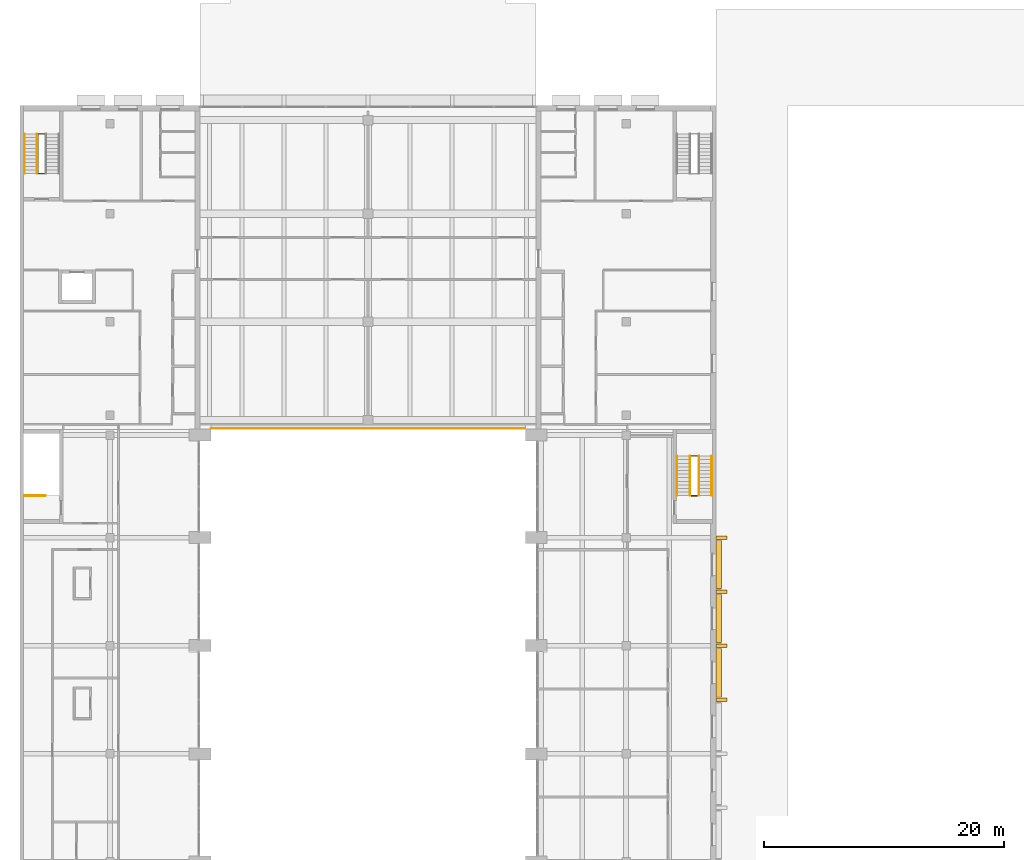
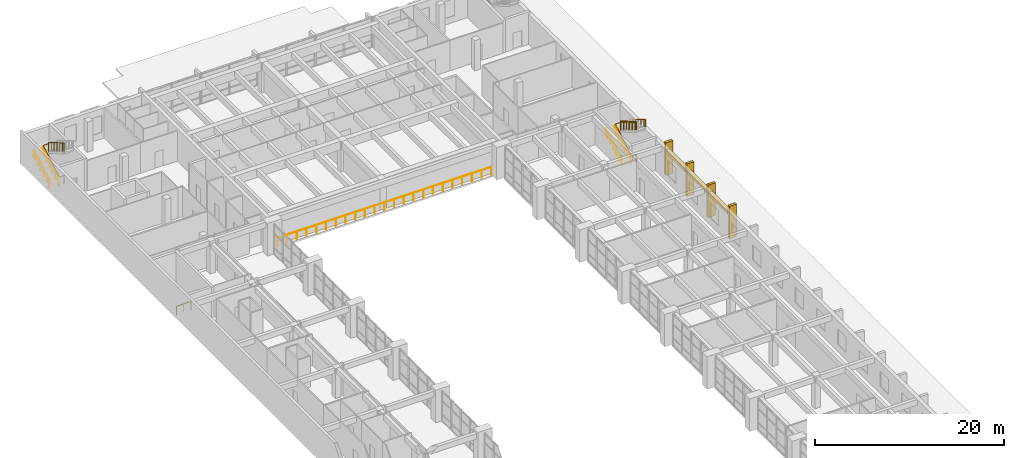
# One storey, part 42 of 45: 10 railings, 7 shading devices.
"""IFC4 building model written with IfcOpenShell, lengths in metres."""

from ifc_helpers import new_model, si_unit, direction, frame, origin, origin_2d, place, context, subcontext, project, spatial, rectangle, circle, extrude, material, type_object, element, save


model = new_model("IFC4")

# Units and contexts
model_context = context("Model", 3, precision=1e-05, world=origin(), true_north=direction((0.0, 1.0)))
body_context = subcontext(model_context, "Body", "Model", "MODEL_VIEW")
ifc_project = project(units=[si_unit("LENGTHUNIT", "METRE"), si_unit("AREAUNIT", "SQUARE_METRE"), si_unit("VOLUMEUNIT", "CUBIC_METRE"), si_unit("PLANEANGLEUNIT", "RADIAN"), si_unit("MASSUNIT", "GRAM", prefix="KILO")], contexts=[model_context])

# Site, building, storey
site_placement = place(None, origin())
site = spatial("IfcSite", under=ifc_project, at=site_placement, CompositionType="ELEMENT")
building_placement = place(site_placement, origin())
building = spatial("IfcBuilding", under=site, at=building_placement, Name="Elmora Arch Market Hall", CompositionType="ELEMENT")
storey_placement = place(building_placement, frame((0.0, 0.0, 6.0)))
storey = spatial("IfcBuildingStorey", under=building, at=storey_placement, Name="L01", CompositionType="ELEMENT", Elevation=6.0)

# Shading devices
ifc_material_1 = material(Name="Concrete C40/50", Category="concrete")
shading_device_type_1 = type_object("IfcShadingDeviceType", Name="Concrete fin 300x900", PredefinedType="USERDEFINED", material=ifc_material_1)
for number, where, z_axis, x_axis, name in (
    (1, (58.449951171875, 76.5, 0.0), (0.0, 0.0, 1.0), (1.0, 0.0, 0.0), "Arcade fin 12 L01"),
    (2, (58.449951171875, 81.0, 0.0), (0.0, 0.0, 1.0), (1.0, 0.0, 0.0), "Arcade fin 13 L01"),
    (3, (58.449951171875, 85.5, 0.0), (0.0, 0.0, 1.0), (1.0, 0.0, 0.0), "Arcade fin 14 L01"),
    (4, (58.449951171875, 90.0, 0.0), (0.0, 0.0, 1.0), (1.0, 0.0, 0.0), "Arcade fin 15 L01"),
):
    element("IfcShadingDevice", number, at=place(storey_placement, frame(where, z_axis=z_axis, x_axis=x_axis)), inside=storey, type_object=shading_device_type_1, Name=name, ObjectType="FIN", PredefinedType="USERDEFINED", context=body_context, shape_type="SweptSolid", body=[
        extrude(rectangle(XDim=0.89990234375, YDim=0.300048828125, at=origin_2d()), origin(), (0.0, 0.0, 1.0), 4.199951171875),
    ])

# Railings
ifc_material_2 = material(Name="Steel ASTM A653 galvanised", Category="steel")
railing_type_1 = type_object("IfcRailingType", Name="Gallery guard 1100", PredefinedType="GUARDRAIL", material=ifc_material_2)
railing_1_placement = place(storey_placement, frame((15.929931640625, 99.10009765625, 0.0)))
element("IfcRailing", 5, at=railing_1_placement, inside=storey, type_object=railing_type_1, Name="Gallery guard L01", PredefinedType="GUARDRAIL", context=body_context, shape_type="SweptSolid", body=[
    extrude(circle(Radius=0.02392578125, at=origin_2d()), frame((0.0, 0.0, 1.076171875), z_axis=(1.0, 0.0, 0.0), x_axis=(0.0, 1.0, 0.0)), (0.0, 0.0, 1.0), 26.14013671875),
    extrude(circle(Radius=0.02099609375, at=origin_2d()), origin(), (0.0, 0.0, 1.0), 1.052001953125),
    extrude(circle(Radius=0.02099609375, at=origin_2d()), frame((1.188232421875, 0.0, 0.0)), (0.0, 0.0, 1.0), 1.052001953125),
    extrude(circle(Radius=0.02099609375, at=origin_2d()), frame((2.37646484375, 0.0, 0.0)), (0.0, 0.0, 1.0), 1.052001953125),
    extrude(circle(Radius=0.02099609375, at=origin_2d()), frame((3.564453125, 0.0, 0.0)), (0.0, 0.0, 1.0), 1.052001953125),
    extrude(circle(Radius=0.02099609375, at=origin_2d()), frame((4.752685546875, 0.0, 0.0)), (0.0, 0.0, 1.0), 1.052001953125),
    extrude(circle(Radius=0.02099609375, at=origin_2d()), frame((5.94091796875, 0.0, 0.0)), (0.0, 0.0, 1.0), 1.052001953125),
    extrude(circle(Radius=0.02099609375, at=origin_2d()), frame((7.129150390625, 0.0, 0.0)), (0.0, 0.0, 1.0), 1.052001953125),
    extrude(circle(Radius=0.02099609375, at=origin_2d()), frame((8.3173828125, 0.0, 0.0)), (0.0, 0.0, 1.0), 1.052001953125),
    extrude(circle(Radius=0.02099609375, at=origin_2d()), frame((9.505615234375, 0.0, 0.0)), (0.0, 0.0, 1.0), 1.052001953125),
    extrude(circle(Radius=0.02099609375, at=origin_2d()), frame((10.693603515625, 0.0, 0.0)), (0.0, 0.0, 1.0), 1.052001953125),
    extrude(circle(Radius=0.02099609375, at=origin_2d()), frame((11.8818359375, 0.0, 0.0)), (0.0, 0.0, 1.0), 1.052001953125),
    extrude(circle(Radius=0.02099609375, at=origin_2d()), frame((13.070068359375, 0.0, 0.0)), (0.0, 0.0, 1.0), 1.052001953125),
    extrude(circle(Radius=0.02099609375, at=origin_2d()), frame((14.25830078125, 0.0, 0.0)), (0.0, 0.0, 1.0), 1.052001953125),
    extrude(circle(Radius=0.02099609375, at=origin_2d()), frame((15.446533203125, 0.0, 0.0)), (0.0, 0.0, 1.0), 1.052001953125),
    extrude(circle(Radius=0.02099609375, at=origin_2d()), frame((16.634521484375, 0.0, 0.0)), (0.0, 0.0, 1.0), 1.052001953125),
    extrude(circle(Radius=0.02099609375, at=origin_2d()), frame((17.82275390625, 0.0, 0.0)), (0.0, 0.0, 1.0), 1.052001953125),
    extrude(circle(Radius=0.02099609375, at=origin_2d()), frame((19.010986328125, 0.0, 0.0)), (0.0, 0.0, 1.0), 1.052001953125),
    extrude(circle(Radius=0.02099609375, at=origin_2d()), frame((20.19921875, 0.0, 0.0)), (0.0, 0.0, 1.0), 1.052001953125),
    extrude(circle(Radius=0.02099609375, at=origin_2d()), frame((21.387451171875, 0.0, 0.0)), (0.0, 0.0, 1.0), 1.052001953125),
    extrude(circle(Radius=0.02099609375, at=origin_2d()), frame((22.57568359375, 0.0, 0.0)), (0.0, 0.0, 1.0), 1.052001953125),
    extrude(circle(Radius=0.02099609375, at=origin_2d()), frame((23.763671875, 0.0, 0.0)), (0.0, 0.0, 1.0), 1.052001953125),
    extrude(circle(Radius=0.02099609375, at=origin_2d()), frame((24.951904296875, 0.0, 0.0)), (0.0, 0.0, 1.0), 1.052001953125),
    extrude(circle(Radius=0.02099609375, at=origin_2d()), frame((26.14013671875, 0.0, 0.0)), (0.0, 0.0, 1.0), 1.052001953125),
])
ifc_material_3 = material(Name="Steel ASTM A500 Gr C", Category="steel")
railing_type_2 = type_object("IfcRailingType", Name="Stair guard 1100", PredefinedType="GUARDRAIL", material=ifc_material_3)
railing_2_placement = place(storey_placement, frame((2.1201171875, 120.35009765625, 0.0)))
element("IfcRailing", 6, at=railing_2_placement, inside=storey, type_object=railing_type_2, Name="Stair ST-W guard L01", PredefinedType="GUARDRAIL", context=body_context, shape_type="SweptSolid", body=[
    extrude(circle(Radius=0.02392578125, at=origin_2d()), frame((0.0, 0.0, 1.076171875), z_axis=(-1.0, 0.0, 0.0), x_axis=(0.0, -1.0, 0.0)), (0.0, 0.0, 1.0), 0.64013671875),
    extrude(circle(Radius=0.02392578125, at=origin_2d()), frame((-0.64013671875, 0.0, 1.076171875), z_axis=(0.0, 0.0, 1.0), x_axis=(1.0, 0.0, 0.0)), (0.0, 0.0, 1.0), 0.175048828125),
    extrude(circle(Radius=0.02392578125, at=origin_2d()), frame((-0.64013671875, 0.0, 1.2509765625), z_axis=(0.0, 0.863817152568, 0.503805445515), x_axis=(-1.0, 0.0, 0.0)), (0.0, 0.0, 1.0), 0.6943359375),
    extrude(circle(Radius=0.02392578125, at=origin_2d()), frame((-0.64013671875, 0.599853515625, 1.60107421875), z_axis=(0.0, 0.863753409277, 0.503914722906), x_axis=(-1.0, 0.0, 0.0)), (0.0, 0.0, 1.0), 0.69482421875),
    extrude(circle(Radius=0.02392578125, at=origin_2d()), frame((-0.64013671875, 1.199951171875, 1.951171875), z_axis=(0.0, 0.863664136355, 0.504067713282), x_axis=(-1.0, 0.0, 0.0)), (0.0, 0.0, 1.0), 0.694580078125),
    extrude(circle(Radius=0.02392578125, at=origin_2d()), frame((-0.64013671875, 1.7998046875, 2.30126953125), z_axis=(0.0, 0.863906348401, 0.503652480577), x_axis=(-1.0, 0.0, 0.0)), (0.0, 0.0, 1.0), 0.694580078125),
    extrude(circle(Radius=0.02392578125, at=origin_2d()), frame((-0.64013671875, 2.39990234375, 2.65087890625), z_axis=(0.0, 0.863753409277, 0.503914722906), x_axis=(-1.0, 0.0, 0.0)), (0.0, 0.0, 1.0), 0.69482421875),
    extrude(circle(Radius=0.02392578125, at=origin_2d()), frame((-0.64013671875, 3.0, 3.0009765625), z_axis=(0.0, 0.86357478209, 0.504220780748), x_axis=(-1.0, 0.0, 0.0)), (0.0, 0.0, 1.0), 0.34716796875),
    extrude(circle(Radius=0.02392578125, at=origin_2d()), frame((-0.64013671875, 3.2998046875, 3.17626953125), z_axis=(1.0, 0.0, 0.0), x_axis=(0.0, 1.0, 0.0)), (0.0, 0.0, 1.0), 0.64013671875),
    extrude(circle(Radius=0.02392578125, at=origin_2d()), frame((0.0, 3.2998046875, 3.17626953125), z_axis=(0.0, 0.0, 1.0), x_axis=(1.0, 0.0, 0.0)), (0.0, 0.0, 1.0), 0.1748046875),
    extrude(circle(Radius=0.02392578125, at=origin_2d()), frame((0.0, 3.2998046875, 3.35107421875), z_axis=(0.0, -0.863664136355, 0.504067713282), x_axis=(1.0, 0.0, 0.0)), (0.0, 0.0, 1.0), 0.694580078125),
    extrude(circle(Radius=0.02392578125, at=origin_2d()), frame((0.0, 2.699951171875, 3.701171875), z_axis=(0.0, -0.863753409277, 0.503914722906), x_axis=(1.0, 0.0, 0.0)), (0.0, 0.0, 1.0), 0.69482421875),
    extrude(circle(Radius=0.02392578125, at=origin_2d()), frame((0.0, 2.099853515625, 4.05126953125), z_axis=(0.0, -0.863817152568, 0.503805445515), x_axis=(1.0, 0.0, 0.0)), (0.0, 0.0, 1.0), 0.6943359375),
    extrude(circle(Radius=0.02392578125, at=origin_2d()), frame((0.0, 1.5, 4.40087890625), z_axis=(0.0, -0.863753409277, 0.503914722906), x_axis=(1.0, 0.0, 0.0)), (0.0, 0.0, 1.0), 0.69482421875),
    extrude(circle(Radius=0.02392578125, at=origin_2d()), frame((0.0, 0.89990234375, 4.7509765625), z_axis=(0.0, -0.863906348401, 0.503652480577), x_axis=(1.0, 0.0, 0.0)), (0.0, 0.0, 1.0), 0.694580078125),
    extrude(circle(Radius=0.02392578125, at=origin_2d()), frame((0.0, 0.2998046875, 5.10107421875), z_axis=(0.0, -0.86357478209, 0.504220780748), x_axis=(1.0, 0.0, 0.0)), (0.0, 0.0, 1.0), 0.34716796875),
    extrude(circle(Radius=0.02099609375, at=origin_2d()), origin(), (0.0, 0.0, 1.0), 1.052001953125),
    extrude(circle(Radius=0.02099609375, at=origin_2d()), frame((-0.64013671875, 0.0, 0.0)), (0.0, 0.0, 1.0), 1.052001953125),
    extrude(circle(Radius=0.02099609375, at=origin_2d()), frame((-0.64013671875, 0.0, 0.175048828125)), (0.0, 0.0, 1.0), 1.052001953125),
    extrude(circle(Radius=0.02099609375, at=origin_2d()), frame((-0.64013671875, 0.599853515625, 0.52490234375)), (0.0, 0.0, 1.0), 1.052001953125),
    extrude(circle(Radius=0.02099609375, at=origin_2d()), frame((-0.64013671875, 1.199951171875, 0.875)), (0.0, 0.0, 1.0), 1.052001953125),
    extrude(circle(Radius=0.02099609375, at=origin_2d()), frame((-0.64013671875, 1.7998046875, 1.22509765625)), (0.0, 0.0, 1.0), 1.052001953125),
    extrude(circle(Radius=0.02099609375, at=origin_2d()), frame((-0.64013671875, 2.39990234375, 1.574951171875)), (0.0, 0.0, 1.0), 1.052001953125),
    extrude(circle(Radius=0.02099609375, at=origin_2d()), frame((-0.64013671875, 3.0, 1.925048828125)), (0.0, 0.0, 1.0), 1.052001953125),
    extrude(circle(Radius=0.02099609375, at=origin_2d()), frame((-0.64013671875, 3.2998046875, 2.10009765625)), (0.0, 0.0, 1.0), 1.052001953125),
    extrude(circle(Radius=0.02099609375, at=origin_2d()), frame((0.0, 3.2998046875, 2.10009765625)), (0.0, 0.0, 1.0), 1.052001953125),
    extrude(circle(Radius=0.02099609375, at=origin_2d()), frame((0.0, 3.2998046875, 2.27490234375)), (0.0, 0.0, 1.0), 1.052001953125),
    extrude(circle(Radius=0.02099609375, at=origin_2d()), frame((0.0, 2.699951171875, 2.625)), (0.0, 0.0, 1.0), 1.052001953125),
    extrude(circle(Radius=0.02099609375, at=origin_2d()), frame((0.0, 2.099853515625, 2.97509765625)), (0.0, 0.0, 1.0), 1.052001953125),
    extrude(circle(Radius=0.02099609375, at=origin_2d()), frame((0.0, 1.5, 3.324951171875)), (0.0, 0.0, 1.0), 1.052001953125),
    extrude(circle(Radius=0.02099609375, at=origin_2d()), frame((0.0, 0.89990234375, 3.675048828125)), (0.0, 0.0, 1.0), 1.052001953125),
    extrude(circle(Radius=0.02099609375, at=origin_2d()), frame((0.0, 0.2998046875, 4.02490234375)), (0.0, 0.0, 1.0), 1.052001953125),
    extrude(circle(Radius=0.02099609375, at=origin_2d()), frame((0.0, 0.0, 4.199951171875)), (0.0, 0.0, 1.0), 1.052001953125),
])
railing_3_placement = place(storey_placement, frame((56.52001953125, 93.5, 0.0)))
element("IfcRailing", 7, at=railing_3_placement, inside=storey, type_object=railing_type_2, Name="Stair ST-EN guard L01", PredefinedType="GUARDRAIL", context=body_context, shape_type="SweptSolid", body=[
    extrude(circle(Radius=0.02392578125, at=origin_2d()), frame((0.0, 0.0, 1.076171875), z_axis=(-1.0, 0.0, 0.0), x_axis=(0.0, -1.0, 0.0)), (0.0, 0.0, 1.0), 0.64013671875),
    extrude(circle(Radius=0.02392578125, at=origin_2d()), frame((-0.64013671875, 0.0, 1.076171875), z_axis=(0.0, 0.0, 1.0), x_axis=(1.0, 0.0, 0.0)), (0.0, 0.0, 1.0), 0.175048828125),
    extrude(circle(Radius=0.02392578125, at=origin_2d()), frame((-0.64013671875, 0.0, 1.2509765625), z_axis=(0.0, 0.863906348401, 0.503652480577), x_axis=(-1.0, 0.0, 0.0)), (0.0, 0.0, 1.0), 0.694580078125),
    extrude(circle(Radius=0.02392578125, at=origin_2d()), frame((-0.64013671875, 0.60009765625, 1.60107421875), z_axis=(0.0, 0.863664136355, 0.504067713282), x_axis=(-1.0, 0.0, 0.0)), (0.0, 0.0, 1.0), 0.694580078125),
    extrude(circle(Radius=0.02392578125, at=origin_2d()), frame((-0.64013671875, 1.199951171875, 1.951171875), z_axis=(0.0, 0.863753409277, 0.503914722906), x_axis=(-1.0, 0.0, 0.0)), (0.0, 0.0, 1.0), 0.69482421875),
    extrude(circle(Radius=0.02392578125, at=origin_2d()), frame((-0.64013671875, 1.800048828125, 2.30126953125), z_axis=(0.0, 0.863817152568, 0.503805445515), x_axis=(-1.0, 0.0, 0.0)), (0.0, 0.0, 1.0), 0.6943359375),
    extrude(circle(Radius=0.02392578125, at=origin_2d()), frame((-0.64013671875, 2.39990234375, 2.65087890625), z_axis=(0.0, 0.863753409277, 0.503914722906), x_axis=(-1.0, 0.0, 0.0)), (0.0, 0.0, 1.0), 0.69482421875),
    extrude(circle(Radius=0.02392578125, at=origin_2d()), frame((-0.64013671875, 3.0, 3.0009765625), z_axis=(0.0, 0.863753409277, 0.503914722906), x_axis=(-1.0, 0.0, 0.0)), (0.0, 0.0, 1.0), 0.347412109375),
    extrude(circle(Radius=0.02392578125, at=origin_2d()), frame((-0.64013671875, 3.300048828125, 3.17626953125), z_axis=(1.0, 0.0, 0.0), x_axis=(0.0, 1.0, 0.0)), (0.0, 0.0, 1.0), 0.64013671875),
    extrude(circle(Radius=0.02392578125, at=origin_2d()), frame((0.0, 3.300048828125, 3.17626953125), z_axis=(0.0, 0.0, 1.0), x_axis=(1.0, 0.0, 0.0)), (0.0, 0.0, 1.0), 0.1748046875),
    extrude(circle(Radius=0.02392578125, at=origin_2d()), frame((0.0, 3.300048828125, 3.35107421875), z_axis=(0.0, -0.863753409277, 0.503914722906), x_axis=(1.0, 0.0, 0.0)), (0.0, 0.0, 1.0), 0.69482421875),
    extrude(circle(Radius=0.02392578125, at=origin_2d()), frame((0.0, 2.699951171875, 3.701171875), z_axis=(0.0, -0.863664136355, 0.504067713282), x_axis=(1.0, 0.0, 0.0)), (0.0, 0.0, 1.0), 0.694580078125),
    extrude(circle(Radius=0.02392578125, at=origin_2d()), frame((0.0, 2.10009765625, 4.05126953125), z_axis=(0.0, -0.863906348401, 0.503652480577), x_axis=(1.0, 0.0, 0.0)), (0.0, 0.0, 1.0), 0.694580078125),
    extrude(circle(Radius=0.02392578125, at=origin_2d()), frame((0.0, 1.5, 4.40087890625), z_axis=(0.0, -0.863753409277, 0.503914722906), x_axis=(1.0, 0.0, 0.0)), (0.0, 0.0, 1.0), 0.69482421875),
    extrude(circle(Radius=0.02392578125, at=origin_2d()), frame((0.0, 0.89990234375, 4.7509765625), z_axis=(0.0, -0.863817152568, 0.503805445515), x_axis=(1.0, 0.0, 0.0)), (0.0, 0.0, 1.0), 0.6943359375),
    extrude(circle(Radius=0.02392578125, at=origin_2d()), frame((0.0, 0.300048828125, 5.10107421875), z_axis=(0.0, -0.863753409277, 0.503914722906), x_axis=(1.0, 0.0, 0.0)), (0.0, 0.0, 1.0), 0.347412109375),
    extrude(circle(Radius=0.02099609375, at=origin_2d()), origin(), (0.0, 0.0, 1.0), 1.052001953125),
    extrude(circle(Radius=0.02099609375, at=origin_2d()), frame((-0.64013671875, 0.0, 0.0)), (0.0, 0.0, 1.0), 1.052001953125),
    extrude(circle(Radius=0.02099609375, at=origin_2d()), frame((-0.64013671875, 0.0, 0.175048828125)), (0.0, 0.0, 1.0), 1.052001953125),
    extrude(circle(Radius=0.02099609375, at=origin_2d()), frame((-0.64013671875, 0.60009765625, 0.52490234375)), (0.0, 0.0, 1.0), 1.052001953125),
    extrude(circle(Radius=0.02099609375, at=origin_2d()), frame((-0.64013671875, 1.199951171875, 0.875)), (0.0, 0.0, 1.0), 1.052001953125),
    extrude(circle(Radius=0.02099609375, at=origin_2d()), frame((-0.64013671875, 1.800048828125, 1.22509765625)), (0.0, 0.0, 1.0), 1.052001953125),
    extrude(circle(Radius=0.02099609375, at=origin_2d()), frame((-0.64013671875, 2.39990234375, 1.574951171875)), (0.0, 0.0, 1.0), 1.052001953125),
    extrude(circle(Radius=0.02099609375, at=origin_2d()), frame((-0.64013671875, 3.0, 1.925048828125)), (0.0, 0.0, 1.0), 1.052001953125),
    extrude(circle(Radius=0.02099609375, at=origin_2d()), frame((-0.64013671875, 3.300048828125, 2.10009765625)), (0.0, 0.0, 1.0), 1.052001953125),
    extrude(circle(Radius=0.02099609375, at=origin_2d()), frame((0.0, 3.300048828125, 2.10009765625)), (0.0, 0.0, 1.0), 1.052001953125),
    extrude(circle(Radius=0.02099609375, at=origin_2d()), frame((0.0, 3.300048828125, 2.27490234375)), (0.0, 0.0, 1.0), 1.052001953125),
    extrude(circle(Radius=0.02099609375, at=origin_2d()), frame((0.0, 2.699951171875, 2.625)), (0.0, 0.0, 1.0), 1.052001953125),
    extrude(circle(Radius=0.02099609375, at=origin_2d()), frame((0.0, 2.10009765625, 2.97509765625)), (0.0, 0.0, 1.0), 1.052001953125),
    extrude(circle(Radius=0.02099609375, at=origin_2d()), frame((0.0, 1.5, 3.324951171875)), (0.0, 0.0, 1.0), 1.052001953125),
    extrude(circle(Radius=0.02099609375, at=origin_2d()), frame((0.0, 0.89990234375, 3.675048828125)), (0.0, 0.0, 1.0), 1.052001953125),
    extrude(circle(Radius=0.02099609375, at=origin_2d()), frame((0.0, 0.300048828125, 4.02490234375)), (0.0, 0.0, 1.0), 1.052001953125),
    extrude(circle(Radius=0.02099609375, at=origin_2d()), frame((0.0, 0.0, 4.199951171875)), (0.0, 0.0, 1.0), 1.052001953125),
])
railing_4_placement = place(storey_placement, frame((2.1201171875, 93.5, 0.0)))
element("IfcRailing", 8, at=railing_4_placement, inside=storey, type_object=railing_type_2, Name="Stair ST-WN guard L01", PredefinedType="GUARDRAIL", context=body_context, shape_type="SweptSolid", body=[
    extrude(circle(Radius=0.02392578125, at=origin_2d()), frame((0.0, 0.0, 1.076171875), z_axis=(-1.0, 0.0, 0.0), x_axis=(0.0, -1.0, 0.0)), (0.0, 0.0, 1.0), 1.760009765625),
    extrude(circle(Radius=0.02099609375, at=origin_2d()), origin(), (0.0, 0.0, 1.0), 1.052001953125),
    extrude(circle(Radius=0.02099609375, at=origin_2d()), frame((-0.8798828125, 0.0, 0.0)), (0.0, 0.0, 1.0), 1.052001953125),
    extrude(circle(Radius=0.02099609375, at=origin_2d()), frame((-1.760009765625, 0.0, 0.0)), (0.0, 0.0, 1.0), 1.052001953125),
])
ifc_material_4 = material(Name="Stainless steel ASTM A554 Grade 304", Category="steel")
railing_type_3 = type_object("IfcRailingType", Name="Stair handrail 950", PredefinedType="HANDRAIL", material=ifc_material_4)
railing_5_placement = place(storey_placement, frame((0.360107421875, 120.35009765625, 0.175048828125)))
element("IfcRailing", 9, at=railing_5_placement, inside=storey, type_object=railing_type_3, Name="Stair ST-W L01 flight 1 handrail", PredefinedType="HANDRAIL", context=body_context, shape_type="SweptSolid", body=[
    extrude(circle(Radius=0.02392578125, at=origin_2d()), frame((0.0, 0.0, 0.92578125), z_axis=(0.0, 0.863817152568, 0.503805445515), x_axis=(-1.0, 0.0, 0.0)), (0.0, 0.0, 1.0), 0.6943359375),
    extrude(circle(Radius=0.02392578125, at=origin_2d()), frame((0.0, 0.599853515625, 1.27587890625), z_axis=(0.0, 0.863753409277, 0.503914722906), x_axis=(-1.0, 0.0, 0.0)), (0.0, 0.0, 1.0), 0.69482421875),
    extrude(circle(Radius=0.02392578125, at=origin_2d()), frame((0.0, 1.199951171875, 1.6259765625), z_axis=(0.0, 0.863664136355, 0.504067713282), x_axis=(-1.0, 0.0, 0.0)), (0.0, 0.0, 1.0), 0.694580078125),
    extrude(circle(Radius=0.02392578125, at=origin_2d()), frame((0.0, 1.7998046875, 1.97607421875), z_axis=(0.0, 0.863906348401, 0.503652480577), x_axis=(-1.0, 0.0, 0.0)), (0.0, 0.0, 1.0), 0.694580078125),
    extrude(circle(Radius=0.02392578125, at=origin_2d()), frame((0.0, 2.39990234375, 2.32568359375), z_axis=(0.0, 0.863753409277, 0.503914722906), x_axis=(-1.0, 0.0, 0.0)), (0.0, 0.0, 1.0), 0.69482421875),
    extrude(circle(Radius=0.02392578125, at=origin_2d()), frame((0.0, 3.0, 2.67578125), z_axis=(0.0, 0.86357478209, 0.504220780748), x_axis=(-1.0, 0.0, 0.0)), (0.0, 0.0, 1.0), 0.34716796875),
    extrude(circle(Radius=0.02099609375, at=origin_2d()), origin(), (0.0, 0.0, 1.0), 0.90185546875),
    extrude(circle(Radius=0.02099609375, at=origin_2d()), frame((0.0, 0.599853515625, 0.349853515625)), (0.0, 0.0, 1.0), 0.90185546875),
    extrude(circle(Radius=0.02099609375, at=origin_2d()), frame((0.0, 1.199951171875, 0.699951171875)), (0.0, 0.0, 1.0), 0.90185546875),
    extrude(circle(Radius=0.02099609375, at=origin_2d()), frame((0.0, 1.7998046875, 1.050048828125)), (0.0, 0.0, 1.0), 0.90185546875),
    extrude(circle(Radius=0.02099609375, at=origin_2d()), frame((0.0, 2.39990234375, 1.39990234375)), (0.0, 0.0, 1.0), 0.90185546875),
    extrude(circle(Radius=0.02099609375, at=origin_2d()), frame((0.0, 3.0, 1.75)), (0.0, 0.0, 1.0), 0.90185546875),
    extrude(circle(Radius=0.02099609375, at=origin_2d()), frame((0.0, 3.2998046875, 1.925048828125)), (0.0, 0.0, 1.0), 0.90185546875),
])
railing_6_placement = place(storey_placement, frame((1.429931640625, 120.35009765625, 0.175048828125)))
element("IfcRailing", 10, at=railing_6_placement, inside=storey, type_object=railing_type_3, Name="Stair ST-W L01 flight 1 handrail", PredefinedType="HANDRAIL", context=body_context, shape_type="SweptSolid", body=[
    extrude(circle(Radius=0.02392578125, at=origin_2d()), frame((0.0, 0.0, 0.92578125), z_axis=(0.0, 0.863817152568, 0.503805445515), x_axis=(-1.0, 0.0, 0.0)), (0.0, 0.0, 1.0), 0.6943359375),
    extrude(circle(Radius=0.02392578125, at=origin_2d()), frame((0.0, 0.599853515625, 1.27587890625), z_axis=(0.0, 0.863753409277, 0.503914722906), x_axis=(-1.0, 0.0, 0.0)), (0.0, 0.0, 1.0), 0.69482421875),
    extrude(circle(Radius=0.02392578125, at=origin_2d()), frame((0.0, 1.199951171875, 1.6259765625), z_axis=(0.0, 0.863664136355, 0.504067713282), x_axis=(-1.0, 0.0, 0.0)), (0.0, 0.0, 1.0), 0.694580078125),
    extrude(circle(Radius=0.02392578125, at=origin_2d()), frame((0.0, 1.7998046875, 1.97607421875), z_axis=(0.0, 0.863906348401, 0.503652480577), x_axis=(-1.0, 0.0, 0.0)), (0.0, 0.0, 1.0), 0.694580078125),
    extrude(circle(Radius=0.02392578125, at=origin_2d()), frame((0.0, 2.39990234375, 2.32568359375), z_axis=(0.0, 0.863753409277, 0.503914722906), x_axis=(-1.0, 0.0, 0.0)), (0.0, 0.0, 1.0), 0.69482421875),
    extrude(circle(Radius=0.02392578125, at=origin_2d()), frame((0.0, 3.0, 2.67578125), z_axis=(0.0, 0.86357478209, 0.504220780748), x_axis=(-1.0, 0.0, 0.0)), (0.0, 0.0, 1.0), 0.34716796875),
    extrude(circle(Radius=0.02099609375, at=origin_2d()), origin(), (0.0, 0.0, 1.0), 0.90185546875),
    extrude(circle(Radius=0.02099609375, at=origin_2d()), frame((0.0, 0.599853515625, 0.349853515625)), (0.0, 0.0, 1.0), 0.90185546875),
    extrude(circle(Radius=0.02099609375, at=origin_2d()), frame((0.0, 1.199951171875, 0.699951171875)), (0.0, 0.0, 1.0), 0.90185546875),
    extrude(circle(Radius=0.02099609375, at=origin_2d()), frame((0.0, 1.7998046875, 1.050048828125)), (0.0, 0.0, 1.0), 0.90185546875),
    extrude(circle(Radius=0.02099609375, at=origin_2d()), frame((0.0, 2.39990234375, 1.39990234375)), (0.0, 0.0, 1.0), 0.90185546875),
    extrude(circle(Radius=0.02099609375, at=origin_2d()), frame((0.0, 3.0, 1.75)), (0.0, 0.0, 1.0), 0.90185546875),
    extrude(circle(Radius=0.02099609375, at=origin_2d()), frame((0.0, 3.2998046875, 1.925048828125)), (0.0, 0.0, 1.0), 0.90185546875),
])
railing_7_placement = place(storey_placement, frame((54.760009765625, 93.5, 0.175048828125)))
element("IfcRailing", 11, at=railing_7_placement, inside=storey, type_object=railing_type_3, Name="Stair ST-EN L01 flight 1 handrail", PredefinedType="HANDRAIL", context=body_context, shape_type="SweptSolid", body=[
    extrude(circle(Radius=0.02392578125, at=origin_2d()), frame((0.0, 0.0, 0.92578125), z_axis=(0.0, 0.863906348401, 0.503652480577), x_axis=(-1.0, 0.0, 0.0)), (0.0, 0.0, 1.0), 0.694580078125),
    extrude(circle(Radius=0.02392578125, at=origin_2d()), frame((0.0, 0.60009765625, 1.27587890625), z_axis=(0.0, 0.863664136355, 0.504067713282), x_axis=(-1.0, 0.0, 0.0)), (0.0, 0.0, 1.0), 0.694580078125),
    extrude(circle(Radius=0.02392578125, at=origin_2d()), frame((0.0, 1.199951171875, 1.6259765625), z_axis=(0.0, 0.863753409277, 0.503914722906), x_axis=(-1.0, 0.0, 0.0)), (0.0, 0.0, 1.0), 0.69482421875),
    extrude(circle(Radius=0.02392578125, at=origin_2d()), frame((0.0, 1.800048828125, 1.97607421875), z_axis=(0.0, 0.863817152568, 0.503805445515), x_axis=(-1.0, 0.0, 0.0)), (0.0, 0.0, 1.0), 0.6943359375),
    extrude(circle(Radius=0.02392578125, at=origin_2d()), frame((0.0, 2.39990234375, 2.32568359375), z_axis=(0.0, 0.863753409277, 0.503914722906), x_axis=(-1.0, 0.0, 0.0)), (0.0, 0.0, 1.0), 0.69482421875),
    extrude(circle(Radius=0.02392578125, at=origin_2d()), frame((0.0, 3.0, 2.67578125), z_axis=(0.0, 0.863753409277, 0.503914722906), x_axis=(-1.0, 0.0, 0.0)), (0.0, 0.0, 1.0), 0.347412109375),
    extrude(circle(Radius=0.02099609375, at=origin_2d()), origin(), (0.0, 0.0, 1.0), 0.90185546875),
    extrude(circle(Radius=0.02099609375, at=origin_2d()), frame((0.0, 0.60009765625, 0.349853515625)), (0.0, 0.0, 1.0), 0.90185546875),
    extrude(circle(Radius=0.02099609375, at=origin_2d()), frame((0.0, 1.199951171875, 0.699951171875)), (0.0, 0.0, 1.0), 0.90185546875),
    extrude(circle(Radius=0.02099609375, at=origin_2d()), frame((0.0, 1.800048828125, 1.050048828125)), (0.0, 0.0, 1.0), 0.90185546875),
    extrude(circle(Radius=0.02099609375, at=origin_2d()), frame((0.0, 2.39990234375, 1.39990234375)), (0.0, 0.0, 1.0), 0.90185546875),
    extrude(circle(Radius=0.02099609375, at=origin_2d()), frame((0.0, 3.0, 1.75)), (0.0, 0.0, 1.0), 0.90185546875),
    extrude(circle(Radius=0.02099609375, at=origin_2d()), frame((0.0, 3.300048828125, 1.925048828125)), (0.0, 0.0, 1.0), 0.90185546875),
])
railing_8_placement = place(storey_placement, frame((55.830078125, 93.5, 0.175048828125)))
element("IfcRailing", 12, at=railing_8_placement, inside=storey, type_object=railing_type_3, Name="Stair ST-EN L01 flight 1 handrail", PredefinedType="HANDRAIL", context=body_context, shape_type="SweptSolid", body=[
    extrude(circle(Radius=0.02392578125, at=origin_2d()), frame((0.0, 0.0, 0.92578125), z_axis=(0.0, 0.863906348401, 0.503652480577), x_axis=(-1.0, 0.0, 0.0)), (0.0, 0.0, 1.0), 0.694580078125),
    extrude(circle(Radius=0.02392578125, at=origin_2d()), frame((0.0, 0.60009765625, 1.27587890625), z_axis=(0.0, 0.863664136355, 0.504067713282), x_axis=(-1.0, 0.0, 0.0)), (0.0, 0.0, 1.0), 0.694580078125),
    extrude(circle(Radius=0.02392578125, at=origin_2d()), frame((0.0, 1.199951171875, 1.6259765625), z_axis=(0.0, 0.863753409277, 0.503914722906), x_axis=(-1.0, 0.0, 0.0)), (0.0, 0.0, 1.0), 0.69482421875),
    extrude(circle(Radius=0.02392578125, at=origin_2d()), frame((0.0, 1.800048828125, 1.97607421875), z_axis=(0.0, 0.863817152568, 0.503805445515), x_axis=(-1.0, 0.0, 0.0)), (0.0, 0.0, 1.0), 0.6943359375),
    extrude(circle(Radius=0.02392578125, at=origin_2d()), frame((0.0, 2.39990234375, 2.32568359375), z_axis=(0.0, 0.863753409277, 0.503914722906), x_axis=(-1.0, 0.0, 0.0)), (0.0, 0.0, 1.0), 0.69482421875),
    extrude(circle(Radius=0.02392578125, at=origin_2d()), frame((0.0, 3.0, 2.67578125), z_axis=(0.0, 0.863753409277, 0.503914722906), x_axis=(-1.0, 0.0, 0.0)), (0.0, 0.0, 1.0), 0.347412109375),
    extrude(circle(Radius=0.02099609375, at=origin_2d()), origin(), (0.0, 0.0, 1.0), 0.90185546875),
    extrude(circle(Radius=0.02099609375, at=origin_2d()), frame((0.0, 0.60009765625, 0.349853515625)), (0.0, 0.0, 1.0), 0.90185546875),
    extrude(circle(Radius=0.02099609375, at=origin_2d()), frame((0.0, 1.199951171875, 0.699951171875)), (0.0, 0.0, 1.0), 0.90185546875),
    extrude(circle(Radius=0.02099609375, at=origin_2d()), frame((0.0, 1.800048828125, 1.050048828125)), (0.0, 0.0, 1.0), 0.90185546875),
    extrude(circle(Radius=0.02099609375, at=origin_2d()), frame((0.0, 2.39990234375, 1.39990234375)), (0.0, 0.0, 1.0), 0.90185546875),
    extrude(circle(Radius=0.02099609375, at=origin_2d()), frame((0.0, 3.0, 1.75)), (0.0, 0.0, 1.0), 0.90185546875),
    extrude(circle(Radius=0.02099609375, at=origin_2d()), frame((0.0, 3.300048828125, 1.925048828125)), (0.0, 0.0, 1.0), 0.90185546875),
])
railing_9_placement = place(storey_placement, frame((57.639892578125, 96.800048828125, 2.27490234375)))
element("IfcRailing", 13, at=railing_9_placement, inside=storey, type_object=railing_type_3, Name="Stair ST-EN L01 flight 2 handrail", PredefinedType="HANDRAIL", context=body_context, shape_type="SweptSolid", body=[
    extrude(circle(Radius=0.02392578125, at=origin_2d()), frame((0.0, 0.0, 0.92578125), z_axis=(0.0, -0.863753409277, 0.503914722906), x_axis=(1.0, 0.0, 0.0)), (0.0, 0.0, 1.0), 0.69482421875),
    extrude(circle(Radius=0.02392578125, at=origin_2d()), frame((0.0, -0.60009765625, 1.27587890625), z_axis=(0.0, -0.863664136355, 0.504067713282), x_axis=(1.0, 0.0, 0.0)), (0.0, 0.0, 1.0), 0.694580078125),
    extrude(circle(Radius=0.02392578125, at=origin_2d()), frame((0.0, -1.199951171875, 1.6259765625), z_axis=(0.0, -0.863906348401, 0.503652480577), x_axis=(1.0, 0.0, 0.0)), (0.0, 0.0, 1.0), 0.694580078125),
    extrude(circle(Radius=0.02392578125, at=origin_2d()), frame((0.0, -1.800048828125, 1.97607421875), z_axis=(0.0, -0.863753409277, 0.503914722906), x_axis=(1.0, 0.0, 0.0)), (0.0, 0.0, 1.0), 0.69482421875),
    extrude(circle(Radius=0.02392578125, at=origin_2d()), frame((0.0, -2.400146484375, 2.326171875), z_axis=(0.0, -0.863817152568, 0.503805445515), x_axis=(1.0, 0.0, 0.0)), (0.0, 0.0, 1.0), 0.6943359375),
    extrude(circle(Radius=0.02392578125, at=origin_2d()), frame((0.0, -3.0, 2.67578125), z_axis=(0.0, -0.863753409277, 0.503914722906), x_axis=(1.0, 0.0, 0.0)), (0.0, 0.0, 1.0), 0.347412109375),
    extrude(circle(Radius=0.02099609375, at=origin_2d()), origin(), (0.0, 0.0, 1.0), 0.90185546875),
    extrude(circle(Radius=0.02099609375, at=origin_2d()), frame((0.0, -0.60009765625, 0.35009765625)), (0.0, 0.0, 1.0), 0.90185546875),
    extrude(circle(Radius=0.02099609375, at=origin_2d()), frame((0.0, -1.199951171875, 0.7001953125)), (0.0, 0.0, 1.0), 0.90185546875),
    extrude(circle(Radius=0.02099609375, at=origin_2d()), frame((0.0, -1.800048828125, 1.050048828125)), (0.0, 0.0, 1.0), 0.90185546875),
    extrude(circle(Radius=0.02099609375, at=origin_2d()), frame((0.0, -2.400146484375, 1.400146484375)), (0.0, 0.0, 1.0), 0.90185546875),
    extrude(circle(Radius=0.02099609375, at=origin_2d()), frame((0.0, -3.0, 1.75)), (0.0, 0.0, 1.0), 0.90185546875),
    extrude(circle(Radius=0.02099609375, at=origin_2d()), frame((0.0, -3.300048828125, 1.925048828125)), (0.0, 0.0, 1.0), 0.90185546875),
])
railing_10_placement = place(storey_placement, frame((56.570068359375, 96.800048828125, 2.27490234375)))
element("IfcRailing", 14, at=railing_10_placement, inside=storey, type_object=railing_type_3, Name="Stair ST-EN L01 flight 2 handrail", PredefinedType="HANDRAIL", context=body_context, shape_type="SweptSolid", body=[
    extrude(circle(Radius=0.02392578125, at=origin_2d()), frame((0.0, 0.0, 0.92578125), z_axis=(0.0, -0.863753409277, 0.503914722906), x_axis=(1.0, 0.0, 0.0)), (0.0, 0.0, 1.0), 0.69482421875),
    extrude(circle(Radius=0.02392578125, at=origin_2d()), frame((0.0, -0.60009765625, 1.27587890625), z_axis=(0.0, -0.863664136355, 0.504067713282), x_axis=(1.0, 0.0, 0.0)), (0.0, 0.0, 1.0), 0.694580078125),
    extrude(circle(Radius=0.02392578125, at=origin_2d()), frame((0.0, -1.199951171875, 1.6259765625), z_axis=(0.0, -0.863906348401, 0.503652480577), x_axis=(1.0, 0.0, 0.0)), (0.0, 0.0, 1.0), 0.694580078125),
    extrude(circle(Radius=0.02392578125, at=origin_2d()), frame((0.0, -1.800048828125, 1.97607421875), z_axis=(0.0, -0.863753409277, 0.503914722906), x_axis=(1.0, 0.0, 0.0)), (0.0, 0.0, 1.0), 0.69482421875),
    extrude(circle(Radius=0.02392578125, at=origin_2d()), frame((0.0, -2.400146484375, 2.326171875), z_axis=(0.0, -0.863817152568, 0.503805445515), x_axis=(1.0, 0.0, 0.0)), (0.0, 0.0, 1.0), 0.6943359375),
    extrude(circle(Radius=0.02392578125, at=origin_2d()), frame((0.0, -3.0, 2.67578125), z_axis=(0.0, -0.863753409277, 0.503914722906), x_axis=(1.0, 0.0, 0.0)), (0.0, 0.0, 1.0), 0.347412109375),
    extrude(circle(Radius=0.02099609375, at=origin_2d()), origin(), (0.0, 0.0, 1.0), 0.90185546875),
    extrude(circle(Radius=0.02099609375, at=origin_2d()), frame((0.0, -0.60009765625, 0.35009765625)), (0.0, 0.0, 1.0), 0.90185546875),
    extrude(circle(Radius=0.02099609375, at=origin_2d()), frame((0.0, -1.199951171875, 0.7001953125)), (0.0, 0.0, 1.0), 0.90185546875),
    extrude(circle(Radius=0.02099609375, at=origin_2d()), frame((0.0, -1.800048828125, 1.050048828125)), (0.0, 0.0, 1.0), 0.90185546875),
    extrude(circle(Radius=0.02099609375, at=origin_2d()), frame((0.0, -2.400146484375, 1.400146484375)), (0.0, 0.0, 1.0), 0.90185546875),
    extrude(circle(Radius=0.02099609375, at=origin_2d()), frame((0.0, -3.0, 1.75)), (0.0, 0.0, 1.0), 0.90185546875),
    extrude(circle(Radius=0.02099609375, at=origin_2d()), frame((0.0, -3.300048828125, 1.925048828125)), (0.0, 0.0, 1.0), 0.90185546875),
])

# Shading devices
ifc_material_5 = material(Name="Concrete C40/50", Category="concrete")
shading_device_type_2 = type_object("IfcShadingDeviceType", Name="Window hood 450x400", PredefinedType="USERDEFINED", material=ifc_material_5)
for number, where, z_axis, x_axis, name in (
    (15, (58.22509765625, 78.75, 2.949951171875), (0.0, 0.0, 1.0), (1.0, 0.0, 0.0), "Arcade window hood 12 L01"),
    (16, (58.22509765625, 83.25, 2.949951171875), (0.0, 0.0, 1.0), (1.0, 0.0, 0.0), "Arcade window hood 13 L01"),
    (17, (58.22509765625, 87.75, 2.949951171875), (0.0, 0.0, 1.0), (1.0, 0.0, 0.0), "Arcade window hood 14 L01"),
):
    element("IfcShadingDevice", number, at=place(storey_placement, frame(where, z_axis=z_axis, x_axis=x_axis)), inside=storey, type_object=shading_device_type_2, Name=name, ObjectType="HOOD", PredefinedType="USERDEFINED", context=body_context, shape_type="SweptSolid", body=[
        extrude(rectangle(XDim=0.449951171875, YDim=4.0, at=origin_2d()), origin(), (0.0, 0.0, 1.0), 0.39990234375),
    ])

save(model, "model.ifc")
